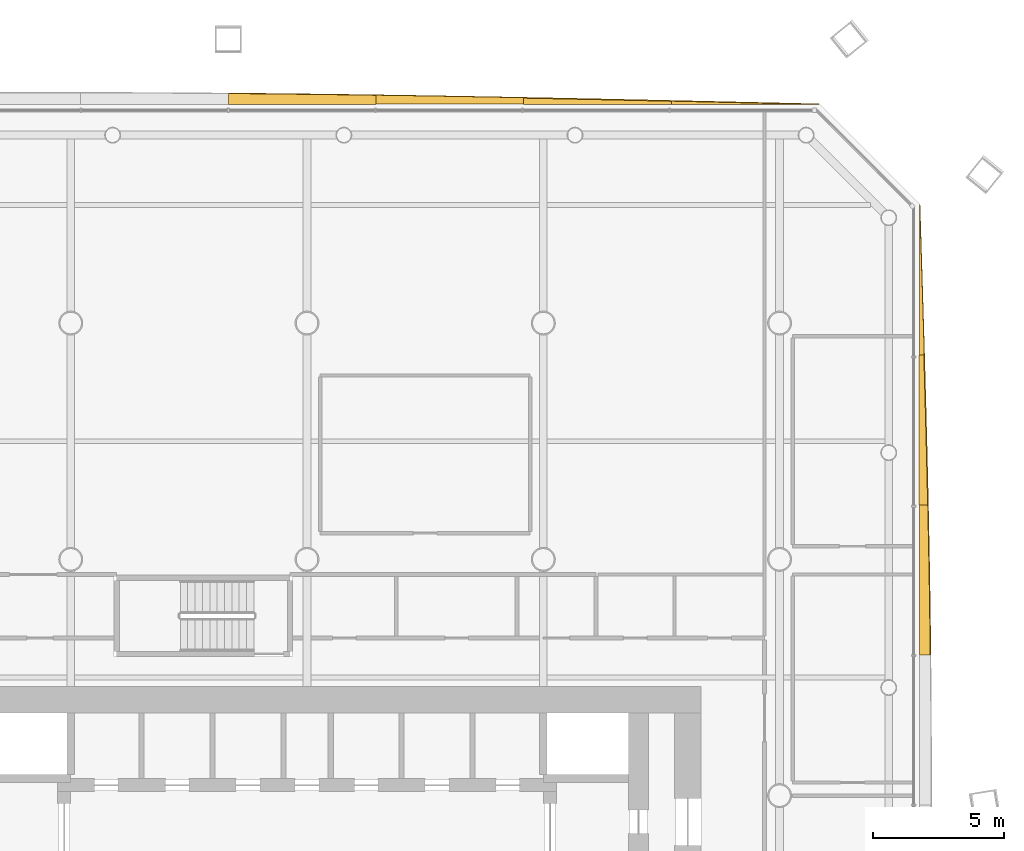
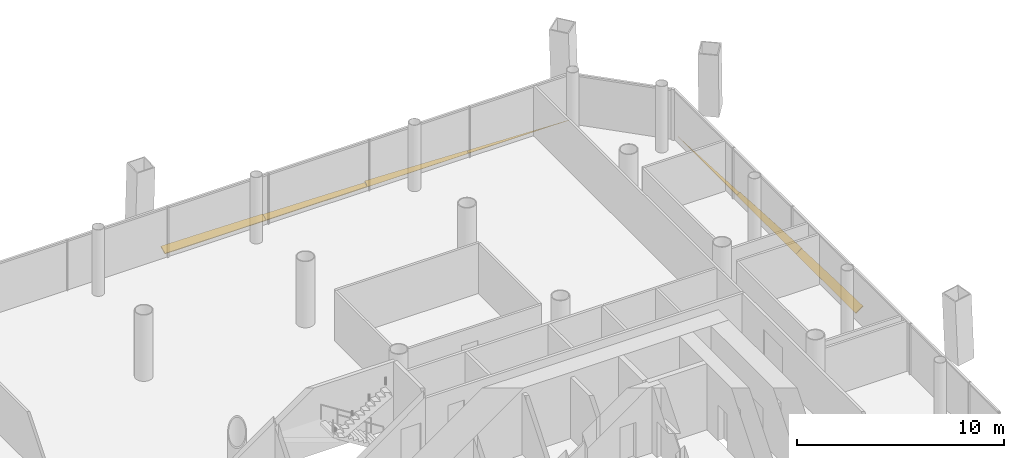
# One storey, part 20 of 20: 7 shading devices.
"""IFC4 building model written with IfcOpenShell, lengths in metres."""

from ifc_helpers import new_model, si_unit, direction, frame, origin, place, context, subcontext, project, spatial, polyline, outline, extrude, material, layer, layer_set, type_object, element, save


model = new_model("IFC4")

# Units and contexts
model_context = context("Model", 3, precision=1e-05, world=origin(), true_north=direction((0.0, 1.0)))
body_context = subcontext(model_context, "Body", "Model", "MODEL_VIEW")
ifc_project = project(units=[si_unit("LENGTHUNIT", "METRE"), si_unit("AREAUNIT", "SQUARE_METRE"), si_unit("VOLUMEUNIT", "CUBIC_METRE"), si_unit("PLANEANGLEUNIT", "RADIAN"), si_unit("MASSUNIT", "GRAM", prefix="KILO")], contexts=[model_context])

# Site, building, storey
site_placement = place(None, origin())
site = spatial("IfcSite", under=ifc_project, at=site_placement, CompositionType="ELEMENT")
building_placement = place(site_placement, origin())
building = spatial("IfcBuilding", under=site, at=building_placement, Name="Tskaro Facet Tower", CompositionType="ELEMENT")
storey_placement = place(building_placement, frame((0.0, 0.0, 53.699951171875)))
storey = spatial("IfcBuildingStorey", under=building, at=storey_placement, Name="L12", CompositionType="ELEMENT", Elevation=53.699951171875)

# Shading devices
ifc_material = material(Name="Bronze anodised aluminium 6063-T6", Category="aluminium")
ifc_layer = layer(ifc_material, 0.06005859375, Name="Bronze anodised aluminium 6063-T6")
ifc_layer_set = layer_set([ifc_layer], Name="Bronze anodised aluminium 6063-T6")
shading_device_type = type_object("IfcShadingDeviceType", Name="Bronze sun blade (FN1)", PredefinedType="USERDEFINED", material=ifc_layer_set)
shading_device_1_placement = place(storey_placement, frame((23.322509765625, 5.3583984375, 0.04931640625), z_axis=(-0.573324769253, -3.53589e-06, 0.819328205879), x_axis=(-2.027213e-06, 0.999999999994, 2.897055e-06)))
element("IfcShadingDevice", 1, at=shading_device_1_placement, inside=storey, type_object=shading_device_type, Name="Fin blade east 6", ObjectType="FIN", PredefinedType="USERDEFINED", context=body_context, shape_type="SweptSolid", body=[
    extrude(outline(polyline([(0.0, 0.0), (5.716796874964263, -2.421157652942712e-21), (5.7167968749836975, -0.39005520267114735), (5.00219726534122, -0.4084759335898078), (4.287597656263866, -0.42581659557242124), (3.5729980465494204, -0.4421372480517579), (2.8583984374000986, -0.4573778315950475), (2.143798828108611, -0.4713983743347959), (1.429199219169883, -0.4839988449707384), (0.7145996095940644, -0.4955793061034041), (-1.2391983450305916e-10, -0.5059397264325285), (0.0, 0.0)])), origin(), (0.0, 0.0, -1.0), 0.06005859375),
])
shading_device_2_placement = place(storey_placement, frame((23.318359375, 11.0751953125, 0.0458984375), z_axis=(-0.642879570492, 1.4261899e-05, 0.765967269301), x_axis=(9.168684e-06, 0.999999999898, -1.0924148e-05)))
element("IfcShadingDevice", 2, at=shading_device_2_placement, inside=storey, type_object=shading_device_type, Name="Fin blade east 7", ObjectType="FIN", PredefinedType="USERDEFINED", context=body_context, shape_type="SweptSolid", body=[
    extrude(outline(polyline([(0.0, 0.0), (5.717041015043572, 0.0), (5.717041016602751, -0.22684760728042513), (5.00244140639964, -0.2533556281050041), (4.287597656428717, -0.2791757354335204), (3.5729980479399273, -0.30430792926597405), (2.858398435402821, -0.32872215889464473), (2.1437988263899044, -0.35229152200709724), (1.4291992186627278, -0.3748290148754557), (0.7145996095542635, -0.3964915905198757), (-9.354886433366094e-10, -0.4172792489403573), (0.0, 0.0)])), origin(), (0.0, 0.0, -1.0), 0.06005859375),
])
shading_device_3_placement = place(storey_placement, frame((23.33642578125, 16.792236328125, 0.056396484375), z_axis=(-0.342331151096, -1.6517369e-05, 0.939579364778), x_axis=(-5.65441e-06, 0.999999999864, 1.5519379e-05)))
element("IfcShadingDevice", 3, at=shading_device_3_placement, inside=storey, type_object=shading_device_type, Name="Fin blade east 8", ObjectType="FIN", PredefinedType="USERDEFINED", context=body_context, shape_type="SweptSolid", body=[
    extrude(outline(polyline([(0.0, 0.0), (5.7167968742201625, 4.842315305885424e-21), (5.002197262973354, -0.02386187245094443), (4.287597656895928, -0.04757793234970063), (3.5729980484100605, -0.07098102581387457), (2.8583984361352837, -0.09430054233685148), (2.1437988290298886, -0.11747424630764015), (1.4291992195160534, -0.14033498384384657), (0.7145996075937787, -0.16288275494547072), (-1.5675535896315437e-09, -0.18497174706032438), (0.0, 0.0)])), origin(), (0.0, 0.0, -1.0), 0.06005859375),
])
shading_device_4_placement = place(storey_placement, frame((19.509033203125, 26.322509765625, 0.04931640625), z_axis=(1.541789e-05, -0.572292394692, 0.820049641631), x_axis=(-0.999999999881, -8.823541e-06, 1.2643435e-05)))
element("IfcShadingDevice", 4, at=shading_device_4_placement, inside=storey, type_object=shading_device_type, Name="Fin blade north 1", ObjectType="FIN", PredefinedType="USERDEFINED", context=body_context, shape_type="SweptSolid", body=[
    extrude(outline(polyline([(0.0, 0.0), (5.627197264956176, 0.0), (5.627197266277972, -0.15814620073585456), (4.92382812685366, -0.1388453256195008), (4.220458984342571, -0.11940473068020749), (3.5170898439856684, -0.0997639283088515), (2.8137207005419893, -0.07998340611455595), (2.1103515623392703, -0.06014239631113731), (1.4067382804248045, -0.04016166668477909), (0.7033691391353099, -0.020180937058420875), (0.0, 0.0)])), origin(), (0.0, 0.0, -1.0), 0.06005859375),
])
shading_device_5_placement = place(storey_placement, frame((13.8818359375, 26.318359375, 0.0458984375), z_axis=(-4.137396e-06, -0.643050851072, 0.765823480261), x_axis=(-0.999999999991, 2.660556e-06, -3.168515e-06)))
element("IfcShadingDevice", 5, at=shading_device_5_placement, inside=storey, type_object=shading_device_type, Name="Fin blade north 2", ObjectType="FIN", PredefinedType="USERDEFINED", context=body_context, shape_type="SweptSolid", body=[
    extrude(outline(polyline([(0.0, 0.0), (5.627441406201834, 0.0), (5.627441406295002, -0.32387671677747576), (4.923828125157721, -0.3056837530990216), (4.220458983995887, -0.28730382079745537), (3.5170898437316307, -0.2684229301993994), (2.813720703591387, -0.24919807614154252), (2.110351562801594, -0.22978625346057346), (1.406982421486264, -0.20984349869669133), (0.7036132809444976, -0.1897437490961204), (-9.82533244558876e-11, -0.16930003603574856), (0.0, 0.0)])), origin(), (0.0, 0.0, -1.0), 0.06005859375),
])
shading_device_6_placement = place(storey_placement, frame((8.25439453125, 26.33642578125, 0.056396484375), z_axis=(-2.317728e-06, -0.34205163561, 0.939681157931), x_axis=(-0.999999999997, 7.92783e-07, -2.177925e-06)))
element("IfcShadingDevice", 6, at=shading_device_6_placement, inside=storey, type_object=shading_device_type, Name="Fin blade north 3", ObjectType="FIN", PredefinedType="USERDEFINED", context=body_context, shape_type="SweptSolid", body=[
    extrude(outline(polyline([(0.0, 0.0), (5.627197265609886, -5.958026855854605e-22), (5.627197265599018, -0.36685652727212015), (4.9238281249672085, -0.3554261568817725), (4.220214843516849, -0.3437663721462262), (3.5168457033678275, -0.33148074132008176), (2.8134765622999853, -0.31881979050364034), (2.110107422102033, -0.30576240794179954), (1.4067382813234293, -0.29201678234436274), (0.7033691405448254, -0.2782711567469259), (-8.915933851413928e-11, -0.2639831937589913), (0.0, 0.0)])), origin(), (0.0, 0.0, -1.0), 0.06005859375),
])
shading_device_7_placement = place(storey_placement, frame((2.627197265625, 26.33154296875, 0.054443359375), z_axis=(3.984688e-06, -0.422485664268, 0.906369606437), x_axis=(-0.999999999992, -1.683474e-06, 3.6116e-06)))
element("IfcShadingDevice", 7, at=shading_device_7_placement, inside=storey, type_object=shading_device_type, Name="Fin blade north 4", ObjectType="FIN", PredefinedType="USERDEFINED", context=body_context, shape_type="SweptSolid", body=[
    extrude(outline(polyline([(0.0, 0.0), (5.627197265580326, 0.0), (5.627197265613677, -0.4536078280528487), (4.923828125099513, -0.44661675438615034), (4.2204589840548845, -0.43875554396459987), (3.5170898438322657, -0.4304517702586529), (2.813476562924918, -0.42160228735418087), (2.1101074217011013, -0.4121039493370549), (1.4067382812992926, -0.4021630480355325), (0.70336914036702, -0.39135200997915803), (-1.542479986912966e-10, -0.3803196902805853), (0.0, 0.0)])), origin(), (0.0, 0.0, -1.0), 0.06005859375),
])

save(model, "model.ifc")
